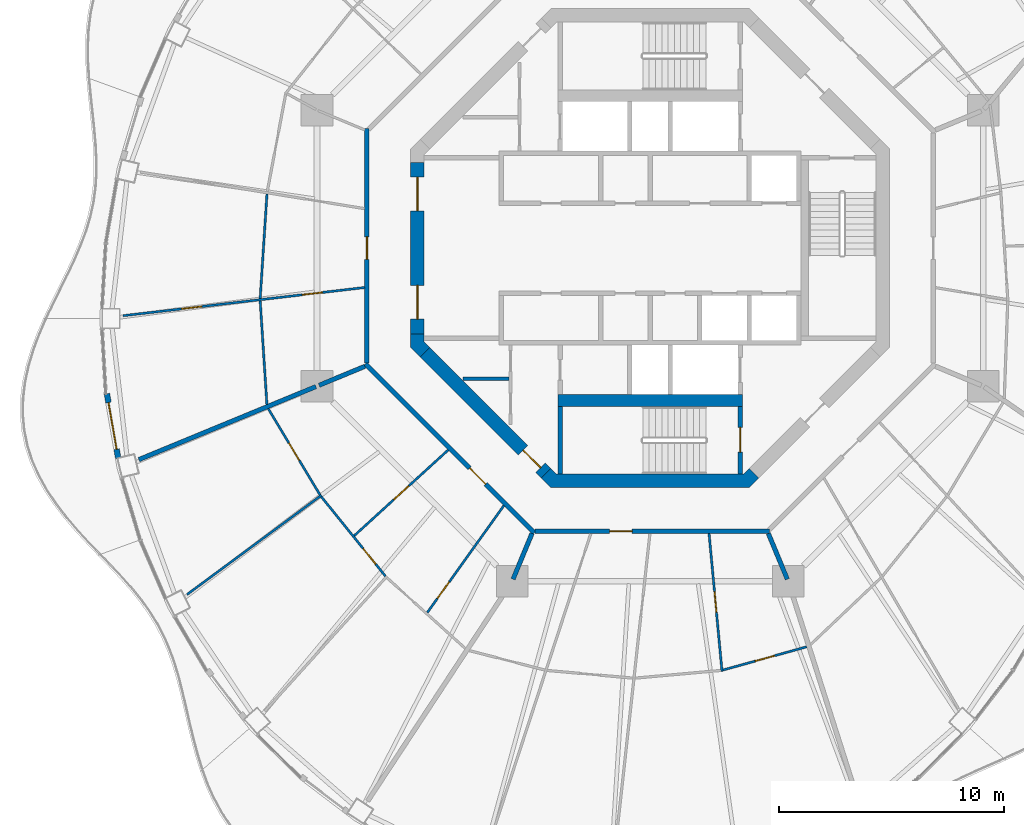
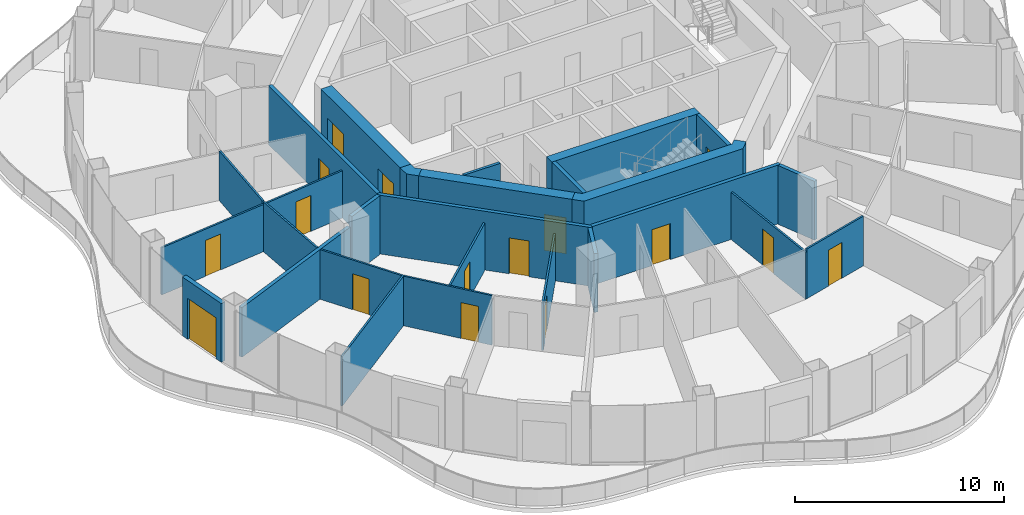
# One storey, part 10 of 17: 26 walls, 16 doors, 16 openings.
"""IFC4 building model written with IfcOpenShell, lengths in metres."""

from ifc_helpers import new_model, si_unit, direction, frame, frame_2d, origin, place, context, subcontext, project, spatial, polyline, rectangle, outline, extrude, material, layer, layer_set, type_object, element, fill, save


model = new_model("IFC4")

# Units and contexts
model_context = context("Model", 3, precision=1e-05, world=origin(), true_north=direction((0.0, 1.0)))
body_context = subcontext(model_context, "Body", "Model", "MODEL_VIEW")
ifc_project = project(units=[si_unit("LENGTHUNIT", "METRE"), si_unit("AREAUNIT", "SQUARE_METRE"), si_unit("VOLUMEUNIT", "CUBIC_METRE"), si_unit("PLANEANGLEUNIT", "RADIAN"), si_unit("MASSUNIT", "GRAM", prefix="KILO")], contexts=[model_context])

# Site, building, storey
site_placement = place(None, origin())
site = spatial("IfcSite", under=ifc_project, at=site_placement, CompositionType="ELEMENT")
building_placement = place(site_placement, origin())
building = spatial("IfcBuilding", under=site, at=building_placement, Name="Nagisa Residences", CompositionType="ELEMENT")
storey_placement = place(building_placement, frame((0.0, 0.0, 280.699951171875)))
storey = spatial("IfcBuildingStorey", under=building, at=storey_placement, Name="L71", CompositionType="ELEMENT", Elevation=280.699951171875)

# Walls
ifc_material_1 = material(Name="Gypsum board on steel studs", Category="steel")
ifc_layer_1 = layer(ifc_material_1, 0.199951171875)
ifc_layer_set_1 = layer_set([ifc_layer_1], Name="Apartment compartment wall EI60 200")
wall_type_1 = type_object("IfcWallType", Name="Apartment compartment wall EI60 200", PredefinedType="PARTITIONING", material=ifc_layer_set_1)
wall_1_placement = place(storey_placement, frame((-12.6572265625, -5.24267578125, 0.0), z_axis=(0.0, 0.0, 1.0), x_axis=(-0.923859888513, -0.38273085373, 0.0)))
element("IfcWall", 1, at=wall_1_placement, inside=storey, type_object=wall_type_1, Name="wall:L71:u06", PredefinedType="PARTITIONING", context=body_context, shape_type="SweptSolid", body=[
    extrude(rectangle(XDim=2.199462890625, YDim=0.199951171875, at=frame_2d((1.099609375, 0.0))), origin(), (0.0, 0.0, 1.0), 3.43994140625),
])
wall_2_placement = place(storey_placement, frame((-14.828369140625, -6.14208984375, 0.0), z_axis=(0.0, 0.0, 1.0), x_axis=(-0.924478087429, -0.381235184451, 0.0)))
element("IfcWall", 2, at=wall_2_placement, inside=storey, type_object=wall_type_1, Name="wall:L71:u07", PredefinedType="PARTITIONING", context=body_context, shape_type="SweptSolid", body=[
    extrude(rectangle(XDim=8.499267578125, YDim=0.199951171875, at=frame_2d((4.24951171875, 0.0))), origin(), (0.0, 0.0, 1.0), 2.905029296875),
])
wall_3_placement = place(storey_placement, frame((-5.24267578125, -12.6572265625, 0.0), z_axis=(0.0, 0.0, 1.0), x_axis=(-0.382770106157, -0.923843626288, 0.0)))
element("IfcWall", 3, at=wall_3_placement, inside=storey, type_object=wall_type_1, Name="wall:L71:u08", PredefinedType="PARTITIONING", context=body_context, shape_type="SweptSolid", body=[
    extrude(rectangle(XDim=2.19921875, YDim=0.199951171875, at=frame_2d((1.099609375, 0.0))), origin(), (0.0, 0.0, 1.0), 3.43994140625),
])
wall_4_placement = place(storey_placement, frame((5.24267578125, -12.6572265625, 0.0), z_axis=(0.0, 0.0, 1.0), x_axis=(0.382707856524, -0.923869415315, 0.0)))
element("IfcWall", 4, at=wall_4_placement, inside=storey, type_object=wall_type_1, Name="wall:L71:u10", PredefinedType="PARTITIONING", context=body_context, shape_type="SweptSolid", body=[
    extrude(rectangle(XDim=2.2001953125, YDim=0.199951171875, at=frame_2d((1.10009765625, 0.0))), origin(), (0.0, 0.0, 1.0), 3.43994140625),
])

# Wall, opening, door
ifc_material_2 = material(Name="Gypsum board on steel studs", Category="steel")
ifc_layer_2 = layer(ifc_material_2, 0.199951171875)
ifc_layer_set_2 = layer_set([ifc_layer_2], Name="Apartment entry wall EI60 200")
wall_type_2 = type_object("IfcWallType", Name="Apartment entry wall EI60 200", PredefinedType="PARTITIONING", material=ifc_layer_set_2)
wall_5_placement = place(storey_placement, frame((-12.564697265625, 5.304443359375, 0.0), z_axis=(0.0, 0.0, 1.0), x_axis=(0.0, -1.0, 0.0)))
wall_5 = element("IfcWall", 5, at=wall_5_placement, inside=storey, type_object=wall_type_2, Name="wall:L71:u18", PredefinedType="PARTITIONING", context=body_context, shape_type="SweptSolid", body=[
    extrude(rectangle(XDim=10.408935546875, YDim=0.199951171875, at=frame_2d((5.20458984375, 0.0))), origin(), (0.0, 0.0, 1.0), 3.43994140625),
])
opening_1_placement = place(wall_5_placement, frame((4.804443359375, 0.0, 0.0)))
opening_1 = element("IfcOpeningElement", 6, at=opening_1_placement, cuts=wall_5, Name="Opening L71-U35", PredefinedType="OPENING", context=body_context, shape_type="SweptSolid", body=[
    extrude(rectangle(XDim=1.0, YDim=2.10009765625, at=frame_2d((0.5, 1.050048828125))), frame((0.0, 0.10986328125, 0.0), z_axis=(0.0, -1.0, 0.0), x_axis=(1.0, 0.0, 0.0)), (0.0, 0.0, 1.0), 0.219970703125),
])
ifc_material_3 = material(Name="Timber fire door set", Category="wood")
door_type_1 = type_object("IfcDoorType", Name="Apartment entry door FD30S 1000x2100", OperationType="NOTDEFINED", PredefinedType="DOOR", material=ifc_material_3)
door_1_placement = place(opening_1_placement, frame((1.0, 0.0, 0.0), x_axis=(-1.0, 0.0, 0.0)))
door_1 = element("IfcDoor", 7, at=door_1_placement, inside=storey, type_object=door_type_1, Name="Entry door, Apartment 71G", OperationType="SINGLE_SWING_RIGHT", OverallHeight=2.10009765625, OverallWidth=1.0, PredefinedType="DOOR", context=body_context, shape_type="SweptSolid", body=[
    extrude(rectangle(XDim=1.0, YDim=2.10009765625, at=frame_2d((0.5, 1.050048828125))), frame((0.0, 0.02490234375, 0.0), z_axis=(0.0, -1.0, 0.0), x_axis=(1.0, 0.0, 0.0)), (0.0, 0.0, 1.0), 0.050048828125),
])
fill(opening_1, door_1)

wall_6_placement = place(storey_placement, frame((-12.635498046875, -5.1337890625, 0.0), z_axis=(0.0, 0.0, 1.0), x_axis=(0.707106781187, -0.707106781187, 0.0)))
wall_6 = element("IfcWall", 8, at=wall_6_placement, inside=storey, type_object=wall_type_2, Name="wall:L71:u19", PredefinedType="PARTITIONING", context=body_context, shape_type="SweptSolid", body=[
    extrude(rectangle(XDim=10.609130859375, YDim=0.199951171875, at=frame_2d((5.3046875, 0.0))), origin(), (0.0, 0.0, 1.0), 3.43994140625),
])
opening_2_placement = place(wall_6_placement, frame((6.539306640625, 0.0, 0.0)))
opening_2 = element("IfcOpeningElement", 9, at=opening_2_placement, cuts=wall_6, Name="Opening L71-U01", PredefinedType="OPENING", context=body_context, shape_type="SweptSolid", body=[
    extrude(rectangle(XDim=1.0, YDim=2.10009765625, at=frame_2d((0.5, 1.050048828125))), frame((0.0, 0.10986328125, 0.0), z_axis=(0.0, -1.0, 0.0), x_axis=(1.0, 0.0, 0.0)), (0.0, 0.0, 1.0), 0.219970703125),
])
door_2_placement = place(opening_2_placement, frame((1.0, 0.0, 0.0), x_axis=(-1.0, 0.0, 0.0)))
door_2 = element("IfcDoor", 10, at=door_2_placement, inside=storey, type_object=door_type_1, Name="Entry door, Apartment 71A", OperationType="SINGLE_SWING_RIGHT", OverallHeight=2.10009765625, OverallWidth=1.0, PredefinedType="DOOR", context=body_context, shape_type="SweptSolid", body=[
    extrude(rectangle(XDim=1.0, YDim=2.10009765625, at=frame_2d((0.5, 1.050048828125))), frame((0.0, 0.02490234375, 0.0), z_axis=(0.0, -1.0, 0.0), x_axis=(1.0, 0.0, 0.0)), (0.0, 0.0, 1.0), 0.050048828125),
])
fill(opening_2, door_2)

wall_7_placement = place(storey_placement, frame((-5.1044921875, -12.564697265625, 0.0), z_axis=(0.0, 0.0, 1.0), x_axis=(1.0, 0.0, 0.0)))
wall_7 = element("IfcWall", 11, at=wall_7_placement, inside=storey, type_object=wall_type_2, Name="wall:L71:u20", PredefinedType="PARTITIONING", context=body_context, shape_type="SweptSolid", body=[
    extrude(rectangle(XDim=10.408935546875, YDim=0.199951171875, at=frame_2d((5.20458984375, 0.0))), origin(), (0.0, 0.0, 1.0), 3.43994140625),
])
opening_3_placement = place(wall_7_placement, frame((3.303466796875, 0.0, 0.0)))
opening_3 = element("IfcOpeningElement", 12, at=opening_3_placement, cuts=wall_7, Name="Opening L71-U07", PredefinedType="OPENING", context=body_context, shape_type="SweptSolid", body=[
    extrude(rectangle(XDim=1.0, YDim=2.10009765625, at=frame_2d((0.5, 1.050048828125))), frame((0.0, 0.10986328125, 0.0), z_axis=(0.0, -1.0, 0.0), x_axis=(1.0, 0.0, 0.0)), (0.0, 0.0, 1.0), 0.219970703125),
])
door_3_placement = place(opening_3_placement, frame((1.0, 0.0, 0.0), x_axis=(-1.0, 0.0, 0.0)))
door_3 = element("IfcDoor", 13, at=door_3_placement, inside=storey, type_object=door_type_1, Name="Entry door, Apartment 71B", OperationType="SINGLE_SWING_RIGHT", OverallHeight=2.10009765625, OverallWidth=1.0, PredefinedType="DOOR", context=body_context, shape_type="SweptSolid", body=[
    extrude(rectangle(XDim=1.0, YDim=2.10009765625, at=frame_2d((0.5, 1.050048828125))), frame((0.0, 0.02490234375, 0.0), z_axis=(0.0, -1.0, 0.0), x_axis=(1.0, 0.0, 0.0)), (0.0, 0.0, 1.0), 0.050048828125),
])
fill(opening_3, door_3)

# Wall
ifc_material_4 = material(Name="Gypsum board on steel studs", Category="steel")
ifc_layer_3 = layer(ifc_material_4, 0.10009765625)
ifc_layer_set_3 = layer_set([ifc_layer_3], Name="Apartment partition 100")
wall_type_3 = type_object("IfcWallType", Name="Apartment partition 100", PredefinedType="PARTITIONING", material=ifc_layer_set_3)
wall_8_placement = place(storey_placement, frame((-17.001708984375, 2.40869140625, 0.0), z_axis=(0.0, 0.0, 1.0), x_axis=(-0.064855550758, -0.997894662545, 0.0)))
element("IfcWall", 14, at=wall_8_placement, inside=storey, type_object=wall_type_3, Name="wall:L71:u47", PredefinedType="PARTITIONING", context=body_context, shape_type="SweptSolid", body=[
    extrude(rectangle(XDim=4.656494140625, YDim=0.10009765625, at=frame_2d((2.328125, 0.0))), origin(), (0.0, 0.0, 1.0), 2.905029296875),
])

# Wall, openings, doors
wall_9_placement = place(storey_placement, frame((-12.6640625, -1.746337890625, 0.0), z_axis=(0.0, 0.0, 1.0), x_axis=(-0.993264397529, -0.115869912409, 0.0)))
wall_9 = element("IfcWall", 15, at=wall_9_placement, inside=storey, type_object=wall_type_3, Name="wall:L71:u48", PredefinedType="PARTITIONING", context=body_context, shape_type="SweptSolid", body=[
    extrude(rectangle(XDim=10.792236328125, YDim=0.10009765625, at=frame_2d((5.39599609375, 0.0))), origin(), (0.0, 0.0, 1.0), 2.761962890625),
])
opening_4_placement = place(wall_9_placement, frame((1.88720703125, 0.0, 0.0)))
opening_4 = element("IfcOpeningElement", 16, at=opening_4_placement, cuts=wall_9, Name="Opening L71-U37", PredefinedType="OPENING", context=body_context, shape_type="SweptSolid", body=[
    extrude(rectangle(XDim=0.89990234375, YDim=2.10009765625, at=frame_2d((0.449951171875, 1.050048828125))), frame((0.0, 0.06005859375, 0.0), z_axis=(0.0, -1.0, 0.0), x_axis=(1.0, 0.0, 0.0)), (0.0, 0.0, 1.0), 0.1201171875),
])
opening_5_placement = place(wall_9_placement, frame((7.283203125, 0.0, 0.0)))
opening_5 = element("IfcOpeningElement", 17, at=opening_5_placement, cuts=wall_9, Name="Opening L71-U40", PredefinedType="OPENING", context=body_context, shape_type="SweptSolid", body=[
    extrude(rectangle(XDim=0.89990234375, YDim=2.10009765625, at=frame_2d((0.449951171875, 1.050048828125))), frame((0.0, 0.06005859375, 0.0), z_axis=(0.0, -1.0, 0.0), x_axis=(1.0, 0.0, 0.0)), (0.0, 0.0, 1.0), 0.1201171875),
])
ifc_material_5 = material(Name="Timber door set", Category="wood")
door_type_2 = type_object("IfcDoorType", Name="Apartment door 900x2100", OperationType="NOTDEFINED", PredefinedType="DOOR", material=ifc_material_5)
door_4_placement = place(opening_4_placement, origin())
door_4 = element("IfcDoor", 18, at=door_4_placement, inside=storey, type_object=door_type_2, Name="Door to family bathroom, Apartment 71G", OperationType="SINGLE_SWING_LEFT", OverallHeight=2.10009765625, OverallWidth=0.89990234375, PredefinedType="DOOR", context=body_context, shape_type="SweptSolid", body=[
    extrude(rectangle(XDim=0.89990234375, YDim=2.10009765625, at=frame_2d((0.449951171875, 1.050048828125))), frame((0.0, 0.02490234375, 0.0), z_axis=(0.0, -1.0, 0.0), x_axis=(1.0, 0.0, 0.0)), (0.0, 0.0, 1.0), 0.050048828125),
])
fill(opening_4, door_4)
door_5_placement = place(opening_5_placement, origin())
door_5 = element("IfcDoor", 19, at=door_5_placement, inside=storey, type_object=door_type_2, Name="Door to master bedroom, Apartment 71G", OperationType="SINGLE_SWING_RIGHT", OverallHeight=2.10009765625, OverallWidth=0.89990234375, PredefinedType="DOOR", context=body_context, shape_type="SweptSolid", body=[
    extrude(rectangle(XDim=0.89990234375, YDim=2.10009765625, at=frame_2d((0.449951171875, 1.050048828125))), frame((0.0, 0.02490234375, 0.0), z_axis=(0.0, -1.0, 0.0), x_axis=(1.0, 0.0, 0.0)), (0.0, 0.0, 1.0), 0.050048828125),
])
fill(opening_5, door_5)

# Wall
wall_10_placement = place(storey_placement, frame((-17.3037109375, -2.337890625, 0.0), z_axis=(0.0, 0.0, 1.0), x_axis=(0.06500001157, -0.997885263192, 0.0)))
element("IfcWall", 20, at=wall_10_placement, inside=storey, type_object=wall_type_3, Name="wall:L71:u49", PredefinedType="PARTITIONING", context=body_context, shape_type="SweptSolid", body=[
    extrude(rectangle(XDim=4.608642578125, YDim=0.10009765625, at=frame_2d((2.30419921875, 0.0))), origin(), (0.0, 0.0, 1.0), 2.905029296875),
])

# Wall, opening, door
wall_11_placement = place(storey_placement, frame((-16.9462890625, -7.122314453125, 0.0), z_axis=(0.0, 0.0, 1.0), x_axis=(0.514994556856, -0.857193447483, 0.0)))
wall_11 = element("IfcWall", 21, at=wall_11_placement, inside=storey, type_object=wall_type_3, Name="wall:L71:u50", PredefinedType="PARTITIONING", context=body_context, shape_type="SweptSolid", body=[
    extrude(rectangle(XDim=4.4619140625, YDim=0.10009765625, at=frame_2d((2.23095703125, 0.0))), origin(), (0.0, 0.0, 1.0), 2.905029296875),
])
opening_6_placement = place(wall_11_placement, frame((1.781005859375, 0.0, 0.0)))
opening_6 = element("IfcOpeningElement", 22, at=opening_6_placement, cuts=wall_11, Name="Opening L71-U04", PredefinedType="OPENING", context=body_context, shape_type="SweptSolid", body=[
    extrude(rectangle(XDim=0.89990234375, YDim=2.10009765625, at=frame_2d((0.449951171875, 1.050048828125))), frame((0.0, 0.06005859375, 0.0), z_axis=(0.0, -1.0, 0.0), x_axis=(1.0, 0.0, 0.0)), (0.0, 0.0, 1.0), 0.1201171875),
])
door_6_placement = place(opening_6_placement, frame((0.89990234375, 0.0, 0.0), x_axis=(-1.0, 0.0, 0.0)))
door_6 = element("IfcDoor", 23, at=door_6_placement, inside=storey, type_object=door_type_2, Name="Door to kitchen, Apartment 71A", OperationType="SINGLE_SWING_LEFT", OverallHeight=2.10009765625, OverallWidth=0.89990234375, PredefinedType="DOOR", context=body_context, shape_type="SweptSolid", body=[
    extrude(rectangle(XDim=0.89990234375, YDim=2.10009765625, at=frame_2d((0.449951171875, 1.050048828125))), frame((0.0, 0.02490234375, 0.0), z_axis=(0.0, -1.0, 0.0), x_axis=(1.0, 0.0, 0.0)), (0.0, 0.0, 1.0), 0.050048828125),
])
fill(opening_6, door_6)

# Wall
wall_12_placement = place(storey_placement, frame((-14.582275390625, -10.960205078125, 0.0), z_axis=(0.0, 0.0, 1.0), x_axis=(-0.804405200554, -0.594081032623, 0.0)))
element("IfcWall", 24, at=wall_12_placement, inside=storey, type_object=wall_type_3, Name="wall:L71:u51", PredefinedType="PARTITIONING", context=body_context, shape_type="SweptSolid", body=[
    extrude(rectangle(XDim=7.41845703125, YDim=0.10009765625, at=frame_2d((3.709228515625, 0.0))), origin(), (0.0, 0.0, 1.0), 2.905029296875),
])

# Wall, opening, door
wall_13_placement = place(storey_placement, frame((-14.59130859375, -11.02880859375, 0.0), z_axis=(0.0, 0.0, 1.0), x_axis=(0.628170338674, -0.778075848237, 0.0)))
wall_13 = element("IfcWall", 25, at=wall_13_placement, inside=storey, type_object=wall_type_3, Name="wall:L71:u52", PredefinedType="PARTITIONING", context=body_context, shape_type="SweptSolid", body=[
    extrude(rectangle(XDim=4.532470703125, YDim=0.10009765625, at=frame_2d((2.26611328125, 0.0))), origin(), (0.0, 0.0, 1.0), 2.905029296875),
])
opening_7_placement = place(wall_13_placement, frame((2.94921875, 0.0, 0.0)))
opening_7 = element("IfcOpeningElement", 26, at=opening_7_placement, cuts=wall_13, Name="Opening L71-U05", PredefinedType="OPENING", context=body_context, shape_type="SweptSolid", body=[
    extrude(rectangle(XDim=0.89990234375, YDim=2.10009765625, at=frame_2d((0.449951171875, 1.050048828125))), frame((0.0, 0.06005859375, 0.0), z_axis=(0.0, -1.0, 0.0), x_axis=(1.0, 0.0, 0.0)), (0.0, 0.0, 1.0), 0.1201171875),
])
door_7_placement = place(opening_7_placement, frame((0.89990234375, 0.0, 0.0), x_axis=(-1.0, 0.0, 0.0)))
door_7 = element("IfcDoor", 27, at=door_7_placement, inside=storey, type_object=door_type_2, Name="Door to master bedroom, Apartment 71A", OperationType="SINGLE_SWING_RIGHT", OverallHeight=2.10009765625, OverallWidth=0.89990234375, PredefinedType="DOOR", context=body_context, shape_type="SweptSolid", body=[
    extrude(rectangle(XDim=0.89990234375, YDim=2.10009765625, at=frame_2d((0.449951171875, 1.050048828125))), frame((0.0, 0.02490234375, 0.0), z_axis=(0.0, -1.0, 0.0), x_axis=(1.0, 0.0, 0.0)), (0.0, 0.0, 1.0), 0.050048828125),
])
fill(opening_7, door_7)

wall_14_placement = place(storey_placement, frame((-8.95849609375, -8.9521484375, 0.0), z_axis=(0.0, 0.0, 1.0), x_axis=(-0.73876526954, -0.673962815385, 0.0)))
wall_14 = element("IfcWall", 28, at=wall_14_placement, inside=storey, type_object=wall_type_3, Name="wall:L71:u53", PredefinedType="PARTITIONING", context=body_context, shape_type="SweptSolid", body=[
    extrude(rectangle(XDim=5.6474609375, YDim=0.10009765625, at=frame_2d((2.82373046875, 0.0))), origin(), (0.0, 0.0, 1.0), 2.761962890625),
])
opening_8_placement = place(wall_14_placement, frame((2.373779296875, 0.0, 0.0)))
opening_8 = element("IfcOpeningElement", 29, at=opening_8_placement, cuts=wall_14, Name="Opening L71-U02", PredefinedType="OPENING", context=body_context, shape_type="SweptSolid", body=[
    extrude(rectangle(XDim=0.89990234375, YDim=2.10009765625, at=frame_2d((0.449951171875, 1.050048828125))), frame((0.0, 0.06005859375, 0.0), z_axis=(0.0, -1.0, 0.0), x_axis=(1.0, 0.0, 0.0)), (0.0, 0.0, 1.0), 0.1201171875),
])
door_8_placement = place(opening_8_placement, frame((0.89990234375, 0.0, 0.0), x_axis=(-1.0, 0.0, 0.0)))
door_8 = element("IfcDoor", 30, at=door_8_placement, inside=storey, type_object=door_type_2, Name="Door to store, Apartment 71A", OperationType="SINGLE_SWING_LEFT", OverallHeight=2.10009765625, OverallWidth=0.89990234375, PredefinedType="DOOR", context=body_context, shape_type="SweptSolid", body=[
    extrude(rectangle(XDim=0.89990234375, YDim=2.10009765625, at=frame_2d((0.449951171875, 1.050048828125))), frame((0.0, 0.02490234375, 0.0), z_axis=(0.0, -1.0, 0.0), x_axis=(1.0, 0.0, 0.0)), (0.0, 0.0, 1.0), 0.050048828125),
])
fill(opening_8, door_8)

wall_15_placement = place(storey_placement, frame((-6.489501953125, -11.41943359375, 0.0), z_axis=(0.0, 0.0, 1.0), x_axis=(-0.58201647594, -0.813176992871, 0.0)))
wall_15 = element("IfcWall", 31, at=wall_15_placement, inside=storey, type_object=wall_type_3, Name="wall:L71:u56", PredefinedType="PARTITIONING", context=body_context, shape_type="SweptSolid", body=[
    extrude(rectangle(XDim=5.84375, YDim=0.10009765625, at=frame_2d((2.921875, 0.0))), origin(), (0.0, 0.0, 1.0), 2.761962890625),
])
opening_9_placement = place(wall_15_placement, frame((4.169189453125, 0.0, 0.0)))
opening_9 = element("IfcOpeningElement", 32, at=opening_9_placement, cuts=wall_15, Name="Opening L71-U03", PredefinedType="OPENING", context=body_context, shape_type="SweptSolid", body=[
    extrude(rectangle(XDim=0.89990234375, YDim=2.10009765625, at=frame_2d((0.449951171875, 1.050048828125))), frame((0.0, 0.06005859375, 0.0), z_axis=(0.0, -1.0, 0.0), x_axis=(1.0, 0.0, 0.0)), (0.0, 0.0, 1.0), 0.1201171875),
])
door_9_placement = place(opening_9_placement, origin())
door_9 = element("IfcDoor", 33, at=door_9_placement, inside=storey, type_object=door_type_2, Name="Door to family bathroom, Apartment 71A", OperationType="SINGLE_SWING_LEFT", OverallHeight=2.10009765625, OverallWidth=0.89990234375, PredefinedType="DOOR", context=body_context, shape_type="SweptSolid", body=[
    extrude(rectangle(XDim=0.89990234375, YDim=2.10009765625, at=frame_2d((0.449951171875, 1.050048828125))), frame((0.0, 0.02490234375, 0.0), z_axis=(0.0, -1.0, 0.0), x_axis=(1.0, 0.0, 0.0)), (0.0, 0.0, 1.0), 0.050048828125),
])
fill(opening_9, door_9)

wall_16_placement = place(storey_placement, frame((2.611572265625, -12.664306640625, 0.0), z_axis=(0.0, 0.0, 1.0), x_axis=(0.093781393779, -0.995592813444, 0.0)))
wall_16 = element("IfcWall", 34, at=wall_16_placement, inside=storey, type_object=wall_type_3, Name="wall:L71:u62", PredefinedType="PARTITIONING", context=body_context, shape_type="SweptSolid", body=[
    extrude(rectangle(XDim=6.143798828125, YDim=0.10009765625, at=frame_2d((3.07177734375, 0.0))), origin(), (0.0, 0.0, 1.0), 2.761962890625),
])
opening_10_placement = place(wall_16_placement, frame((2.5966796875, 0.0, 0.0)))
opening_10 = element("IfcOpeningElement", 35, at=opening_10_placement, cuts=wall_16, Name="Opening L71-U10", PredefinedType="OPENING", context=body_context, shape_type="SweptSolid", body=[
    extrude(rectangle(XDim=0.89990234375, YDim=2.10009765625, at=frame_2d((0.449951171875, 1.050048828125))), frame((0.0, 0.06005859375, 0.0), z_axis=(0.0, -1.0, 0.0), x_axis=(1.0, 0.0, 0.0)), (0.0, 0.0, 1.0), 0.1201171875),
])
door_10_placement = place(opening_10_placement, origin())
door_10 = element("IfcDoor", 36, at=door_10_placement, inside=storey, type_object=door_type_2, Name="Door to laundry, Apartment 71B", OperationType="SINGLE_SWING_RIGHT", OverallHeight=2.10009765625, OverallWidth=0.89990234375, PredefinedType="DOOR", context=body_context, shape_type="SweptSolid", body=[
    extrude(rectangle(XDim=0.89990234375, YDim=2.10009765625, at=frame_2d((0.449951171875, 1.050048828125))), frame((0.0, 0.02490234375, 0.0), z_axis=(0.0, -1.0, 0.0), x_axis=(1.0, 0.0, 0.0)), (0.0, 0.0, 1.0), 0.050048828125),
])
fill(opening_10, door_10)

wall_17_placement = place(storey_placement, frame((3.231201171875, -18.7177734375, 0.0), z_axis=(0.0, 0.0, 1.0), x_axis=(0.963606817151, 0.267323590318, 0.0)))
wall_17 = element("IfcWall", 37, at=wall_17_placement, inside=storey, type_object=wall_type_3, Name="wall:L71:u63", PredefinedType="PARTITIONING", context=body_context, shape_type="SweptSolid", body=[
    extrude(rectangle(XDim=3.85302734375, YDim=0.10009765625, at=frame_2d((1.926513671875, 0.0))), origin(), (0.0, 0.0, 1.0), 2.905029296875),
])
opening_11_placement = place(wall_17_placement, frame((1.4765625, 0.0, 0.0)))
opening_11 = element("IfcOpeningElement", 38, at=opening_11_placement, cuts=wall_17, Name="Opening L71-U13", PredefinedType="OPENING", context=body_context, shape_type="SweptSolid", body=[
    extrude(rectangle(XDim=0.89990234375, YDim=2.10009765625, at=frame_2d((0.449951171875, 1.050048828125))), frame((0.0, 0.06005859375, 0.0), z_axis=(0.0, -1.0, 0.0), x_axis=(1.0, 0.0, 0.0)), (0.0, 0.0, 1.0), 0.1201171875),
])
door_11_placement = place(opening_11_placement, frame((0.89990234375, 0.0, 0.0), x_axis=(-1.0, 0.0, 0.0)))
door_11 = element("IfcDoor", 39, at=door_11_placement, inside=storey, type_object=door_type_2, Name="Door to family room, Apartment 71B", OperationType="SINGLE_SWING_RIGHT", OverallHeight=2.10009765625, OverallWidth=0.89990234375, PredefinedType="DOOR", context=body_context, shape_type="SweptSolid", body=[
    extrude(rectangle(XDim=0.89990234375, YDim=2.10009765625, at=frame_2d((0.449951171875, 1.050048828125))), frame((0.0, 0.02490234375, 0.0), z_axis=(0.0, -1.0, 0.0), x_axis=(1.0, 0.0, 0.0)), (0.0, 0.0, 1.0), 0.050048828125),
])
fill(opening_11, door_11)

ifc_material_6 = material(Name="Precast concrete C40/50", Category="concrete")
ifc_layer_4 = layer(ifc_material_6, 0.25)
ifc_layer_set_4 = layer_set([ifc_layer_4], Name="BALCONY DOOR WALL 250")
wall_type_4 = type_object("IfcWallType", Name="BALCONY DOOR WALL 250", PredefinedType="SOLIDWALL", material=ifc_layer_set_4)
wall_18_placement = place(storey_placement, frame((-23.603515625, -9.31494140625, 0.0), z_axis=(0.0, 0.0, 1.0), x_axis=(-0.172182411767, 0.985065082661, 0.0)))
wall_18 = element("IfcWall", 40, at=wall_18_placement, inside=storey, type_object=wall_type_4, Name="wall:L71:bay25", PredefinedType="SOLIDWALL", context=body_context, shape_type="SweptSolid", body=[
    extrude(rectangle(XDim=2.902587890625, YDim=0.25, at=frame_2d((1.451171875, 0.0))), origin(), (0.0, 0.0, 1.0), 3.43994140625),
])
opening_12_placement = place(wall_18_placement, frame((0.401123046875, 0.0, 0.0)))
opening_12 = element("IfcOpeningElement", 41, at=opening_12_placement, cuts=wall_18, Name="Opening BD-L71-09", PredefinedType="OPENING", context=body_context, shape_type="SweptSolid", body=[
    extrude(rectangle(XDim=2.10009765625, YDim=2.39990234375, at=frame_2d((1.050048828125, 1.199951171875))), frame((0.0, 0.135009765625, 0.0), z_axis=(0.0, -1.0, 0.0), x_axis=(1.0, 0.0, 0.0)), (0.0, 0.0, 1.0), 0.27001953125),
])
ifc_material_7 = material(Name="Aluminium and clear glass", Category="aluminium")
door_type_3 = type_object("IfcDoorType", Name="BALCONY SLIDING DOOR 2100x2400", OperationType="SLIDING_TO_LEFT", PredefinedType="DOOR", material=ifc_material_7)
door_12_placement = place(opening_12_placement, origin())
door_12 = element("IfcDoor", 42, at=door_12_placement, inside=storey, type_object=door_type_3, Name="door:L71:bay25", OperationType="SLIDING_TO_LEFT", OverallHeight=2.39990234375, OverallWidth=2.10009765625, PredefinedType="DOOR", context=body_context, shape_type="SweptSolid", body=[
    extrude(rectangle(XDim=2.10009765625, YDim=2.39990234375, at=frame_2d((1.050048828125, 1.199951171875))), frame((0.0, 0.02490234375, 0.0), z_axis=(0.0, -1.0, 0.0), x_axis=(1.0, 0.0, 0.0)), (0.0, 0.0, 1.0), 0.050048828125),
])
fill(opening_12, door_12)

# Wall
ifc_material_8 = material(Name="Gypsum board on steel studs", Category="steel")
ifc_layer_5 = layer(ifc_material_8, 0.14990234375)
ifc_layer_set_5 = layer_set([ifc_layer_5], Name="Core partition 150")
wall_type_5 = type_object("IfcWallType", Name="Core partition 150", PredefinedType="PARTITIONING", material=ifc_layer_set_5)
wall_19_placement = place(storey_placement, frame((-8.301025390625, -5.800048828125, 0.0), z_axis=(0.0, 0.0, 1.0), x_axis=(1.0, 0.0, 0.0)))
element("IfcWall", 43, at=wall_19_placement, inside=storey, type_object=wall_type_5, Name="wall:L71:SWq", PredefinedType="PARTITIONING", context=body_context, shape_type="SweptSolid", body=[
    extrude(rectangle(XDim=2.026123046875, YDim=0.14990234375, at=frame_2d((1.01318359375, 0.0))), origin(), (0.0, 0.0, 1.0), 3.43994140625),
])

# Wall, openings, doors
ifc_material_9 = material(Name="Concrete C60", Category="concrete")
ifc_layer_6 = layer(ifc_material_9, 0.60009765625)
ifc_layer_set_6 = layer_set([ifc_layer_6], Name="Core shear wall 600")
wall_type_6 = type_object("IfcWallType", Name="Core shear wall 600", PredefinedType="SHEAR", material=ifc_layer_set_6)
wall_20_placement = place(storey_placement, frame((-10.32470703125, 3.80078125, 0.0), z_axis=(0.0, 0.0, 1.0), x_axis=(0.0, -1.0, 0.0)))
wall_20 = element("IfcWall", 44, at=wall_20_placement, inside=storey, type_object=wall_type_6, Name="wall:L71:core:flat4", PredefinedType="SHEAR", context=body_context, shape_type="SweptSolid", body=[
    extrude(rectangle(XDim=7.6015625, YDim=0.60009765625, at=frame_2d((3.80078125, 0.0))), origin(), (0.0, 0.0, 1.0), 3.43994140625),
])
opening_13_placement = place(wall_20_placement, frame((0.65087890625, 0.0, 0.0)))
opening_13 = element("IfcOpeningElement", 45, at=opening_13_placement, cuts=wall_20, Name="Opening L71-C23", PredefinedType="OPENING", context=body_context, shape_type="SweptSolid", body=[
    extrude(rectangle(XDim=1.5, YDim=2.10009765625, at=frame_2d((0.75, 1.050048828125))), frame((0.0, 0.31005859375, 0.0), z_axis=(0.0, -1.0, 0.0), x_axis=(1.0, 0.0, 0.0)), (0.0, 0.0, 1.0), 0.6201171875),
])
opening_14_placement = place(wall_20_placement, frame((5.450927734375, 0.0, 0.0)))
opening_14 = element("IfcOpeningElement", 46, at=opening_14_placement, cuts=wall_20, Name="Opening L71-C24", PredefinedType="OPENING", context=body_context, shape_type="SweptSolid", body=[
    extrude(rectangle(XDim=1.5, YDim=2.10009765625, at=frame_2d((0.75, 1.050048828125))), frame((0.0, 0.31005859375, 0.0), z_axis=(0.0, -1.0, 0.0), x_axis=(1.0, 0.0, 0.0)), (0.0, 0.0, 1.0), 0.6201171875),
])
ifc_material_10 = material(Name="Steel fire door", Category="steel")
door_type_4 = type_object("IfcDoorType", Name="Fire door EI60 1500x2100 double door single swing", OperationType="DOUBLE_DOOR_SINGLE_SWING", PredefinedType="DOOR", material=ifc_material_10)
door_13_placement = place(opening_13_placement, origin())
door_13 = element("IfcDoor", 47, at=door_13_placement, inside=storey, type_object=door_type_4, Name="Lift lobby door L71 1", OperationType="DOUBLE_DOOR_SINGLE_SWING", OverallHeight=2.10009765625, OverallWidth=1.5, PredefinedType="DOOR", context=body_context, shape_type="SweptSolid", body=[
    extrude(rectangle(XDim=1.5, YDim=2.10009765625, at=frame_2d((0.75, 1.050048828125))), frame((0.0, 0.02490234375, 0.0), z_axis=(0.0, -1.0, 0.0), x_axis=(1.0, 0.0, 0.0)), (0.0, 0.0, 1.0), 0.050048828125),
])
fill(opening_13, door_13)
door_14_placement = place(opening_14_placement, origin())
door_14 = element("IfcDoor", 48, at=door_14_placement, inside=storey, type_object=door_type_4, Name="Lift lobby door L71 2", OperationType="DOUBLE_DOOR_SINGLE_SWING", OverallHeight=2.10009765625, OverallWidth=1.5, PredefinedType="DOOR", context=body_context, shape_type="SweptSolid", body=[
    extrude(rectangle(XDim=1.5, YDim=2.10009765625, at=frame_2d((0.75, 1.050048828125))), frame((0.0, 0.02490234375, 0.0), z_axis=(0.0, -1.0, 0.0), x_axis=(1.0, 0.0, 0.0)), (0.0, 0.0, 1.0), 0.050048828125),
])
fill(opening_14, door_14)

# Wall, opening, door
wall_21_placement = place(storey_placement, frame((-9.98828125, -4.613037109375, 0.0), z_axis=(0.0, 0.0, 1.0), x_axis=(0.707106781187, -0.707106781187, 0.0)))
wall_21 = element("IfcWall", 49, at=wall_21_placement, inside=storey, type_object=wall_type_6, Name="wall:L71:core:flat5", PredefinedType="SHEAR", context=body_context, shape_type="SweptSolid", body=[
    extrude(rectangle(XDim=7.601806640625, YDim=0.60009765625, at=frame_2d((3.80078125, 0.0))), origin(), (0.0, 0.0, 1.0), 3.43994140625),
])
opening_15_placement = place(wall_21_placement, frame((6.15087890625, 0.0, 0.0)))
opening_15 = element("IfcOpeningElement", 50, at=opening_15_placement, cuts=wall_21, Name="Opening L71-C26", PredefinedType="OPENING", context=body_context, shape_type="SweptSolid", body=[
    extrude(rectangle(XDim=1.10009765625, YDim=2.10009765625, at=frame_2d((0.550048828125, 1.050048828125))), frame((0.0, 0.31005859375, 0.0), z_axis=(0.0, -1.0, 0.0), x_axis=(1.0, 0.0, 0.0)), (0.0, 0.0, 1.0), 0.6201171875),
])
ifc_material_11 = material(Name="Steel fire door", Category="steel")
door_type_5 = type_object("IfcDoorType", Name="Fire door EI60 1100x2100 single swing", OperationType="NOTDEFINED", PredefinedType="DOOR", material=ifc_material_11)
door_15_placement = place(opening_15_placement, origin())
door_15 = element("IfcDoor", 51, at=door_15_placement, inside=storey, type_object=door_type_5, Name="Housekeeping lobby door L71", OperationType="SINGLE_SWING_RIGHT", OverallHeight=2.10009765625, OverallWidth=1.10009765625, PredefinedType="DOOR", context=body_context, shape_type="SweptSolid", body=[
    extrude(rectangle(XDim=1.10009765625, YDim=2.10009765625, at=frame_2d((0.550048828125, 1.050048828125))), frame((0.0, 0.02490234375, 0.0), z_axis=(0.0, -1.0, 0.0), x_axis=(1.0, 0.0, 0.0)), (0.0, 0.0, 1.0), 0.050048828125),
])
fill(opening_15, door_15)

# Walls
wall_22_placement = place(storey_placement, origin())
element("IfcWall", 52, at=wall_22_placement, inside=storey, type_object=wall_type_6, Name="wall:L71:core:pier4", PredefinedType="SHEAR", context=body_context, shape_type="SweptSolid", body=[
    extrude(outline(polyline([(-10.62451171875, -3.80078125), (-10.024658203125, -3.80078125), (-10.024658203125, -4.15234375), (-9.776123046875, -4.40087890625), (-10.200439453125, -4.8251953125), (-10.62451171875, -4.40087890625), (-10.62451171875, -3.80078125)])), origin(), (0.0, 0.0, 1.0), 3.43994140625),
])
wall_23_placement = place(storey_placement, origin())
element("IfcWall", 53, at=wall_23_placement, inside=storey, type_object=wall_type_6, Name="wall:L71:core:flat6", PredefinedType="SHEAR", context=body_context, shape_type="SweptSolid", body=[
    extrude(outline(polyline([(-4.15234375, -10.024658203125), (4.15234375, -10.024658203125), (4.40087890625, -9.776123046875), (4.8251953125, -10.200439453125), (4.40087890625, -10.62451171875), (-4.40087890625, -10.62451171875), (-4.8251953125, -10.200439453125), (-4.40087890625, -9.776123046875), (-4.15234375, -10.024658203125)])), origin(), (0.0, 0.0, 1.0), 3.43994140625),
])

# Wall, opening, door
ifc_material_12 = material(Name="Concrete C60", Category="concrete")
ifc_layer_7 = layer(ifc_material_12, 0.199951171875)
ifc_layer_set_7 = layer_set([ifc_layer_7], Name="Stair enclosure wall 200")
wall_type_7 = type_object("IfcWallType", Name="Stair enclosure wall 200", PredefinedType="SOLIDWALL", material=ifc_layer_set_7)
wall_24_placement = place(storey_placement, frame((4.0, -10.024658203125, 0.0), z_axis=(0.0, 0.0, 1.0), x_axis=(0.0, 1.0, 0.0)))
wall_24 = element("IfcWall", 54, at=wall_24_placement, inside=storey, type_object=wall_type_7, Name="wall:L71:SS_e", PredefinedType="SOLIDWALL", context=body_context, shape_type="SweptSolid", body=[
    extrude(rectangle(XDim=3.0, YDim=0.199951171875, at=frame_2d((1.5, 0.0))), origin(), (0.0, 0.0, 1.0), 3.43994140625),
])
opening_16_placement = place(wall_24_placement, frame((0.974609375, 0.0, 0.0)))
opening_16 = element("IfcOpeningElement", 55, at=opening_16_placement, cuts=wall_24, Name="Opening L71-C09", PredefinedType="OPENING", context=body_context, shape_type="SweptSolid", body=[
    extrude(rectangle(XDim=1.10009765625, YDim=2.10009765625, at=frame_2d((0.550048828125, 1.050048828125))), frame((0.0, 0.10986328125, 0.0), z_axis=(0.0, -1.0, 0.0), x_axis=(1.0, 0.0, 0.0)), (0.0, 0.0, 1.0), 0.219970703125),
])
ifc_material_13 = material(Name="Steel fire door", Category="steel")
door_type_6 = type_object("IfcDoorType", Name="Fire door EI90 1100x2100 single swing", OperationType="NOTDEFINED", PredefinedType="DOOR", material=ifc_material_13)
door_16_placement = place(opening_16_placement, origin())
door_16 = element("IfcDoor", 56, at=door_16_placement, inside=storey, type_object=door_type_6, Name="Stair door ST-S L71", OperationType="SINGLE_SWING_LEFT", OverallHeight=2.10009765625, OverallWidth=1.10009765625, PredefinedType="DOOR", context=body_context, shape_type="SweptSolid", body=[
    extrude(rectangle(XDim=1.10009765625, YDim=2.10009765625, at=frame_2d((0.550048828125, 1.050048828125))), frame((0.0, 0.02490234375, 0.0), z_axis=(0.0, -1.0, 0.0), x_axis=(1.0, 0.0, 0.0)), (0.0, 0.0, 1.0), 0.050048828125),
])
fill(opening_16, door_16)

# Walls
wall_25_placement = place(storey_placement, origin())
element("IfcWall", 57, at=wall_25_placement, inside=storey, type_object=wall_type_7, Name="wall:L71:SS_w", PredefinedType="SOLIDWALL", context=body_context, shape_type="SweptSolid", body=[
    extrude(outline(polyline([(-3.89990234375, -10.024658203125), (-4.10009765625, -10.024658203125), (-4.10009765625, -7.024658203125), (-3.89990234375, -7.024658203125), (-3.89990234375, -10.024658203125)])), origin(), (0.0, 0.0, 1.0), 3.43994140625),
])
wall_26_placement = place(storey_placement, origin())
element("IfcWall", 58, at=wall_26_placement, inside=storey, type_object=wall_type_7, Name="wall:L71:SS_n", PredefinedType="SOLIDWALL", context=body_context, shape_type="SweptSolid", body=[
    extrude(outline(polyline([(4.10009765625, -7.024658203125), (-4.10009765625, -7.024658203125), (-4.10009765625, -6.5), (4.10009765625, -6.5), (4.10009765625, -7.024658203125)])), origin(), (0.0, 0.0, 1.0), 3.43994140625),
])

save(model, "model.ifc")
